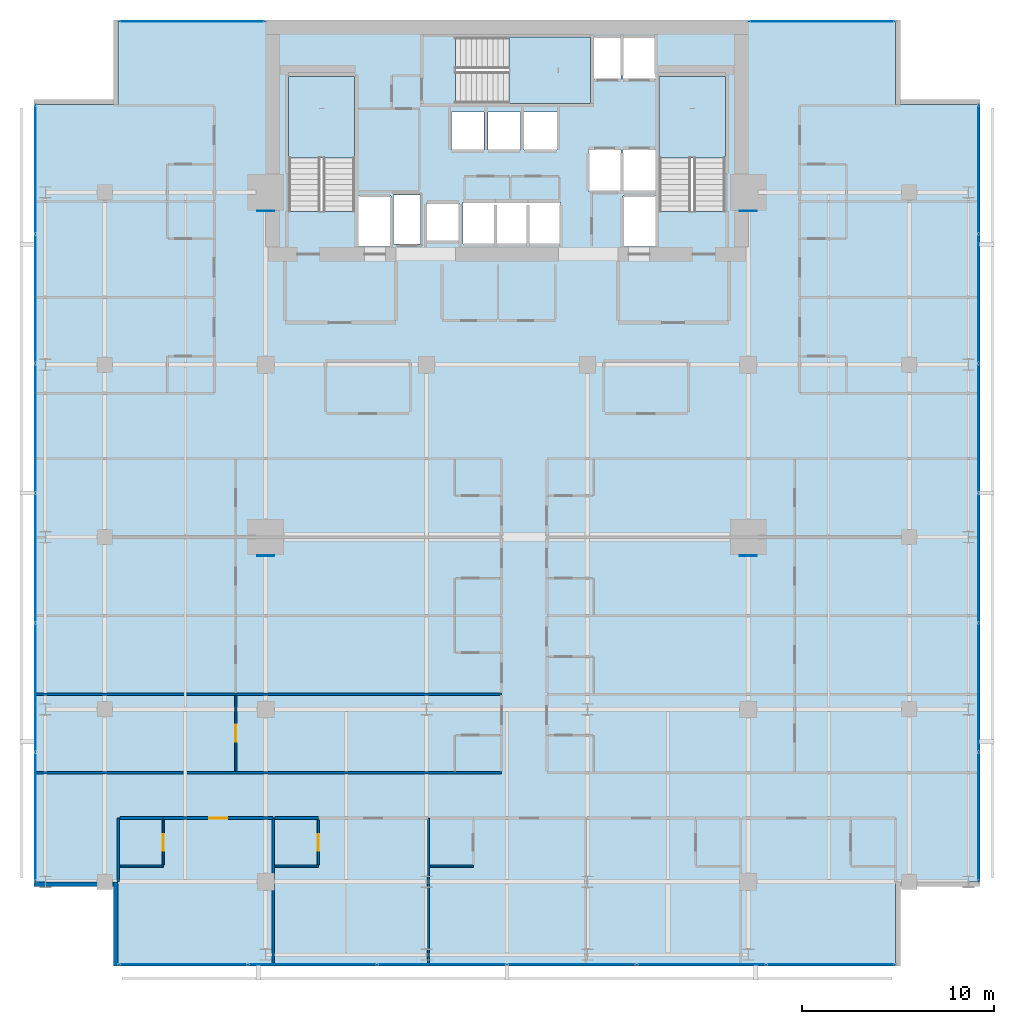
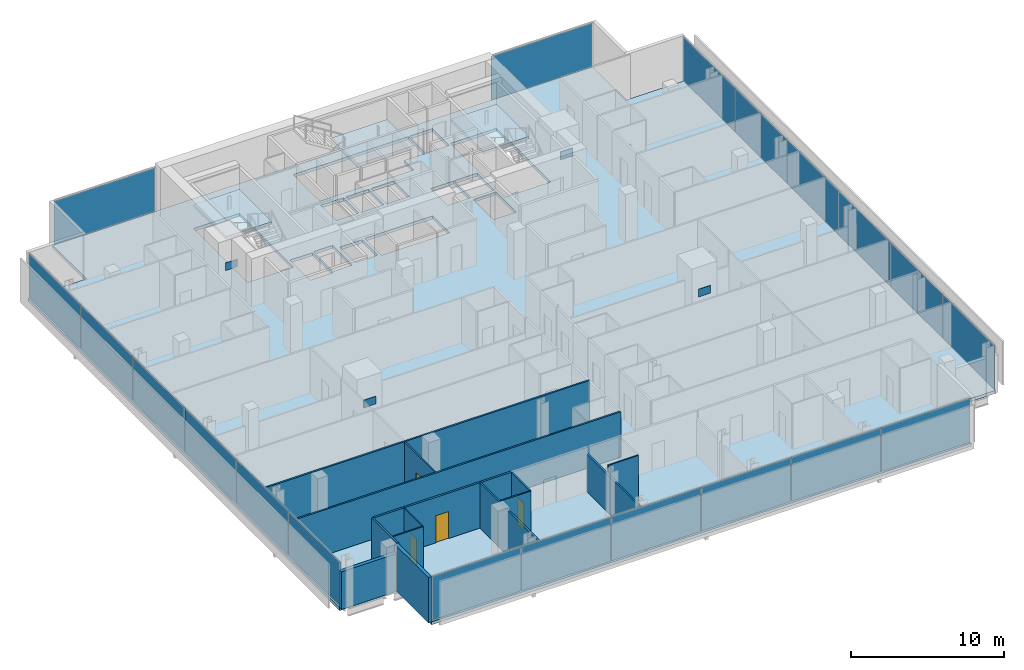
# One storey, part 26 of 34: 24 plates, 16 walls, 4 doors, 4 slabs, 4 openings, 8 elements without a shape of their own.
"""IFC4 building model written with IfcOpenShell, lengths in metres."""

from ifc_helpers import new_model, si_unit, direction, frame, frame_2d, origin, origin_2d, place, context, subcontext, project, spatial, polyline, rectangle, outline, extrude, material, layer, layer_set, type_object, element, fill, aggregate, save


model = new_model("IFC4")

# Units and contexts
model_context = context("Model", 3, precision=1e-05, world=origin(), true_north=direction((0.0, 1.0)))
body_context = subcontext(model_context, "Body", "Model", "MODEL_VIEW")
ifc_project = project(units=[si_unit("LENGTHUNIT", "METRE"), si_unit("AREAUNIT", "SQUARE_METRE"), si_unit("VOLUMEUNIT", "CUBIC_METRE"), si_unit("PLANEANGLEUNIT", "RADIAN"), si_unit("MASSUNIT", "GRAM", prefix="KILO")], contexts=[model_context])

# Site, building, storey
site_placement = place(None, origin())
site = spatial("IfcSite", under=ifc_project, at=site_placement, CompositionType="ELEMENT")
building_placement = place(site_placement, origin())
building = spatial("IfcBuilding", under=site, at=building_placement, Name="Maruvema Waterfront Hotel and Observation Tower", CompositionType="ELEMENT")
storey_placement = place(building_placement, frame((0.0, 0.0, 181.300048828125)))
storey = spatial("IfcBuildingStorey", under=building, at=storey_placement, Name="L44", CompositionType="ELEMENT", Elevation=181.300048828125)

# Slab
ifc_material_1 = material(Name="Concrete C50/60", Category="concrete")
ifc_layer_1 = layer(ifc_material_1, 0.239990234375, Name="Reinforced Concrete Floor Slab 240 mm")
ifc_layer_set_1 = layer_set([ifc_layer_1], Name="Concrete C50/60")
slab_type_1 = type_object("IfcSlabType", Name="Reinforced Concrete Floor Slab 240 mm", PredefinedType="FLOOR", material=ifc_layer_set_1)
slab_1_placement = place(storey_placement, frame((0.0, 0.0, -0.239990234375)))
element("IfcSlab", 1, at=slab_1_placement, inside=storey, type_object=slab_type_1, Name="L44 Structural Floor Slab", PredefinedType="FLOOR", context=body_context, shape_type="SweptSolid", body=[
    extrude(outline(polyline([(17.5, 4.60009765625), (58.10009765625, 4.60009765625), (58.10009765625, 9.0), (62.5, 9.0), (62.5, 49.60009765625), (58.10009765625, 49.60009765625), (58.10009765625, 54.0), (17.5, 54.0), (17.5, 49.60009765625), (13.10009765625, 49.60009765625), (13.10009765625, 9.0), (17.5, 9.0), (17.5, 4.60009765625)]), holes=[polyline([(26.39990234375, 44.00048828125), (26.39990234375, 51.050048828125), (29.85009765625, 51.050048828125), (29.85009765625, 44.00048828125), (26.39990234375, 44.00048828125)]), polyline([(30.050048828125, 44.800048828125), (31.75, 44.800048828125), (31.75, 42.169921875), (30.050048828125, 42.169921875), (30.050048828125, 44.800048828125)]), polyline([(31.8798828125, 44.860107421875), (33.280029296875, 44.860107421875), (33.280029296875, 42.2900390625), (31.8798828125, 42.2900390625), (31.8798828125, 44.860107421875)]), polyline([(33.60009765625, 44.449951171875), (35.300048828125, 44.449951171875), (35.300048828125, 42.449951171875), (33.60009765625, 42.449951171875), (33.60009765625, 44.449951171875)]), polyline([(34.89990234375, 49.199951171875), (36.60009765625, 49.199951171875), (36.60009765625, 47.199951171875), (34.89990234375, 47.199951171875), (34.89990234375, 49.199951171875)]), polyline([(36.800048828125, 49.199951171875), (38.5, 49.199951171875), (38.5, 47.199951171875), (36.800048828125, 47.199951171875), (36.800048828125, 49.199951171875)]), polyline([(35.5, 42.300048828125), (35.5, 44.5), (40.60009765625, 44.5), (40.60009765625, 42.300048828125), (35.5, 42.300048828125)]), polyline([(35.1005859375, 53.10009765625), (43.75, 53.10009765625), (43.75, 50.89990234375), (42.14990234375, 50.89990234375), (42.14990234375, 49.64990234375), (35.1005859375, 49.64990234375), (35.1005859375, 53.10009765625)]), polyline([(38.699951171875, 49.199951171875), (40.39990234375, 49.199951171875), (40.39990234375, 47.199951171875), (38.699951171875, 47.199951171875), (38.699951171875, 49.199951171875)]), polyline([(42.050048828125, 47.25), (43.75, 47.25), (43.75, 45.050048828125), (42.050048828125, 45.050048828125), (42.050048828125, 47.25)]), polyline([(43.85009765625, 44.800048828125), (45.550048828125, 44.800048828125), (45.550048828125, 42.169921875), (43.85009765625, 42.169921875), (43.85009765625, 44.800048828125)]), polyline([(43.85009765625, 47.25), (45.550048828125, 47.25), (45.550048828125, 45.050048828125), (43.85009765625, 45.050048828125), (43.85009765625, 47.25)]), polyline([(45.550048828125, 53.10009765625), (45.550048828125, 50.89990234375), (43.85009765625, 50.89990234375), (43.85009765625, 53.10009765625), (45.550048828125, 53.10009765625)]), polyline([(45.75, 44.00048828125), (45.75, 51.050048828125), (49.199951171875, 51.050048828125), (49.199951171875, 44.00048828125), (45.75, 44.00048828125)])]), origin(), (0.0, 0.0, 1.0), 0.239990234375),
])

# Curtain wall, plates
ifc_material_2 = material(Name="Anodised bronze aluminium and solar-control low-E IGU", Category="aluminium")
ifc_layer_2 = layer(ifc_material_2, 0.159912109375, Name="Zone 2 Amber Inner Thermal Curtain Wall System CW-03")
ifc_layer_set_2 = layer_set([ifc_layer_2], Name="Anodised bronze aluminium and solar-control low-E IGU")
curtain_wall_type = type_object("IfcCurtainWallType", Name="Zone 2 Amber Inner Thermal Curtain Wall System CW-03", PredefinedType="USERDEFINED", material=ifc_layer_set_2)
curtain_wall_1_placement = place(storey_placement, origin())
curtain_wall_1 = element("IfcCurtainWall", 2, at=curtain_wall_1_placement, inside=storey, type_object=curtain_wall_type, Name="L44 Curtain Wall CW-L44-S", ObjectType="UNITISED CURTAIN WALL", PredefinedType="USERDEFINED")
ifc_material_3 = material(Name="Laminated low-E solar-control double glazing", Category="glass")
ifc_layer_3 = layer(ifc_material_3, 0.035888671875, Name="Solar Control Double-Glazed Curtain Panel 36 mm")
ifc_layer_set_3 = layer_set([ifc_layer_3], Name="Laminated low-E solar-control double glazing")
plate_type_1 = type_object("IfcPlateType", Name="Solar Control Double-Glazed Curtain Panel 36 mm", PredefinedType="CURTAIN_PANEL", material=ifc_layer_set_3)
plate_1_placement = place(storey_placement, frame((20.8984375, 4.679931640625, 0.06005859375), z_axis=(0.0, 0.0, 1.0), x_axis=(1.0, 0.0, 0.0)))
plate_1 = element("IfcPlate", 3, at=plate_1_placement, type_object=plate_type_1, Name="CW-03 panel 1.1", PredefinedType="CURTAIN_PANEL", context=body_context, shape_type="SweptSolid", body=[
    extrude(rectangle(XDim=6.6767578125, YDim=0.028076171875, at=origin_2d()), origin(), (0.0, 0.0, 1.0), 3.489990234375),
])
plate_2_placement = place(storey_placement, frame((27.64990234375, 4.679931640625, 0.06005859375), z_axis=(0.0, 0.0, 1.0), x_axis=(1.0, 0.0, 0.0)))
plate_2 = element("IfcPlate", 4, at=plate_2_placement, type_object=plate_type_1, Name="CW-03 panel 2.1", PredefinedType="CURTAIN_PANEL", context=body_context, shape_type="SweptSolid", body=[
    extrude(rectangle(XDim=6.706787109375, YDim=0.028076171875, at=origin_2d()), origin(), (0.0, 0.0, 1.0), 3.489990234375),
])
plate_3_placement = place(storey_placement, frame((34.416748046875, 4.679931640625, 0.06005859375), z_axis=(0.0, 0.0, 1.0), x_axis=(1.0, 0.0, 0.0)))
plate_3 = element("IfcPlate", 5, at=plate_3_placement, type_object=plate_type_1, Name="CW-03 panel 3.1", PredefinedType="CURTAIN_PANEL", context=body_context, shape_type="SweptSolid", body=[
    extrude(rectangle(XDim=6.706787109375, YDim=0.028076171875, at=origin_2d()), origin(), (0.0, 0.0, 1.0), 3.489990234375),
])
plate_4_placement = place(storey_placement, frame((41.183349609375, 4.679931640625, 0.06005859375), z_axis=(0.0, 0.0, 1.0), x_axis=(1.0, 0.0, 0.0)))
plate_4 = element("IfcPlate", 6, at=plate_4_placement, type_object=plate_type_1, Name="CW-03 panel 4.1", PredefinedType="CURTAIN_PANEL", context=body_context, shape_type="SweptSolid", body=[
    extrude(rectangle(XDim=6.706787109375, YDim=0.028076171875, at=origin_2d()), origin(), (0.0, 0.0, 1.0), 3.489990234375),
])
plate_5_placement = place(storey_placement, frame((47.949951171875, 4.679931640625, 0.06005859375), z_axis=(0.0, 0.0, 1.0), x_axis=(1.0, 0.0, 0.0)))
plate_5 = element("IfcPlate", 7, at=plate_5_placement, type_object=plate_type_1, Name="CW-03 panel 5.1", PredefinedType="CURTAIN_PANEL", context=body_context, shape_type="SweptSolid", body=[
    extrude(rectangle(XDim=6.706787109375, YDim=0.028076171875, at=origin_2d()), origin(), (0.0, 0.0, 1.0), 3.489990234375),
])
plate_6_placement = place(storey_placement, frame((54.70166015625, 4.679931640625, 0.06005859375), z_axis=(0.0, 0.0, 1.0), x_axis=(1.0, 0.0, 0.0)))
plate_6 = element("IfcPlate", 8, at=plate_6_placement, type_object=plate_type_1, Name="CW-03 panel 6.1", PredefinedType="CURTAIN_PANEL", context=body_context, shape_type="SweptSolid", body=[
    extrude(rectangle(XDim=6.6767578125, YDim=0.028076171875, at=origin_2d()), origin(), (0.0, 0.0, 1.0), 3.489990234375),
])
aggregate(curtain_wall_1, [plate_1, plate_2, plate_3, plate_4, plate_5, plate_6])

curtain_wall_2_placement = place(storey_placement, origin())
curtain_wall_2 = element("IfcCurtainWall", 9, at=curtain_wall_2_placement, inside=storey, type_object=curtain_wall_type, Name="L44 Curtain Wall CW-L44-E", ObjectType="UNITISED CURTAIN WALL", PredefinedType="USERDEFINED")
plate_7_placement = place(storey_placement, frame((62.419921875, 12.3984375, 0.06005859375), z_axis=(0.0, 0.0, 1.0), x_axis=(0.0, 1.0, 0.0)))
plate_7 = element("IfcPlate", 10, at=plate_7_placement, type_object=plate_type_1, Name="CW-03 panel 1.1", PredefinedType="CURTAIN_PANEL", context=body_context, shape_type="SweptSolid", body=[
    extrude(rectangle(XDim=6.6767578125, YDim=0.028076171875, at=origin_2d()), origin(), (0.0, 0.0, 1.0), 3.489990234375),
])
plate_8_placement = place(storey_placement, frame((62.419921875, 19.14990234375, 0.06005859375), z_axis=(0.0, 0.0, 1.0), x_axis=(0.0, 1.0, 0.0)))
plate_8 = element("IfcPlate", 11, at=plate_8_placement, type_object=plate_type_1, Name="CW-03 panel 2.1", PredefinedType="CURTAIN_PANEL", context=body_context, shape_type="SweptSolid", body=[
    extrude(rectangle(XDim=6.706787109375, YDim=0.028076171875, at=origin_2d()), origin(), (0.0, 0.0, 1.0), 3.489990234375),
])
plate_9_placement = place(storey_placement, frame((62.419921875, 25.916748046875, 0.06005859375), z_axis=(0.0, 0.0, 1.0), x_axis=(0.0, 1.0, 0.0)))
plate_9 = element("IfcPlate", 12, at=plate_9_placement, type_object=plate_type_1, Name="CW-03 panel 3.1", PredefinedType="CURTAIN_PANEL", context=body_context, shape_type="SweptSolid", body=[
    extrude(rectangle(XDim=6.706787109375, YDim=0.028076171875, at=origin_2d()), origin(), (0.0, 0.0, 1.0), 3.489990234375),
])
plate_10_placement = place(storey_placement, frame((62.419921875, 32.683349609375, 0.06005859375), z_axis=(0.0, 0.0, 1.0), x_axis=(0.0, 1.0, 0.0)))
plate_10 = element("IfcPlate", 13, at=plate_10_placement, type_object=plate_type_1, Name="CW-03 panel 4.1", PredefinedType="CURTAIN_PANEL", context=body_context, shape_type="SweptSolid", body=[
    extrude(rectangle(XDim=6.706787109375, YDim=0.028076171875, at=origin_2d()), origin(), (0.0, 0.0, 1.0), 3.489990234375),
])
plate_11_placement = place(storey_placement, frame((62.419921875, 39.449951171875, 0.06005859375), z_axis=(0.0, 0.0, 1.0), x_axis=(0.0, 1.0, 0.0)))
plate_11 = element("IfcPlate", 14, at=plate_11_placement, type_object=plate_type_1, Name="CW-03 panel 5.1", PredefinedType="CURTAIN_PANEL", context=body_context, shape_type="SweptSolid", body=[
    extrude(rectangle(XDim=6.706787109375, YDim=0.028076171875, at=origin_2d()), origin(), (0.0, 0.0, 1.0), 3.489990234375),
])
plate_12_placement = place(storey_placement, frame((62.419921875, 46.20166015625, 0.06005859375), z_axis=(0.0, 0.0, 1.0), x_axis=(0.0, 1.0, 0.0)))
plate_12 = element("IfcPlate", 15, at=plate_12_placement, type_object=plate_type_1, Name="CW-03 panel 6.1", PredefinedType="CURTAIN_PANEL", context=body_context, shape_type="SweptSolid", body=[
    extrude(rectangle(XDim=6.6767578125, YDim=0.028076171875, at=origin_2d()), origin(), (0.0, 0.0, 1.0), 3.489990234375),
])
aggregate(curtain_wall_2, [plate_7, plate_8, plate_9, plate_10, plate_11, plate_12])

curtain_wall_3_placement = place(storey_placement, origin())
curtain_wall_3 = element("IfcCurtainWall", 16, at=curtain_wall_3_placement, inside=storey, type_object=curtain_wall_type, Name="L44 Curtain Wall CW-L44-W", ObjectType="UNITISED CURTAIN WALL", PredefinedType="USERDEFINED")
plate_13_placement = place(storey_placement, frame((13.179931640625, 46.20166015625, 0.06005859375), z_axis=(0.0, 0.0, 1.0), x_axis=(0.0, -1.0, 0.0)))
plate_13 = element("IfcPlate", 17, at=plate_13_placement, type_object=plate_type_1, Name="CW-03 panel 1.1", PredefinedType="CURTAIN_PANEL", context=body_context, shape_type="SweptSolid", body=[
    extrude(rectangle(XDim=6.6767578125, YDim=0.028076171875, at=origin_2d()), origin(), (0.0, 0.0, 1.0), 3.489990234375),
])
plate_14_placement = place(storey_placement, frame((13.179931640625, 39.449951171875, 0.06005859375), z_axis=(0.0, 0.0, 1.0), x_axis=(0.0, -1.0, 0.0)))
plate_14 = element("IfcPlate", 18, at=plate_14_placement, type_object=plate_type_1, Name="CW-03 panel 2.1", PredefinedType="CURTAIN_PANEL", context=body_context, shape_type="SweptSolid", body=[
    extrude(rectangle(XDim=6.706787109375, YDim=0.028076171875, at=origin_2d()), origin(), (0.0, 0.0, 1.0), 3.489990234375),
])
plate_15_placement = place(storey_placement, frame((13.179931640625, 32.683349609375, 0.06005859375), z_axis=(0.0, 0.0, 1.0), x_axis=(0.0, -1.0, 0.0)))
plate_15 = element("IfcPlate", 19, at=plate_15_placement, type_object=plate_type_1, Name="CW-03 panel 3.1", PredefinedType="CURTAIN_PANEL", context=body_context, shape_type="SweptSolid", body=[
    extrude(rectangle(XDim=6.706787109375, YDim=0.028076171875, at=origin_2d()), origin(), (0.0, 0.0, 1.0), 3.489990234375),
])
plate_16_placement = place(storey_placement, frame((13.179931640625, 25.916748046875, 0.06005859375), z_axis=(0.0, 0.0, 1.0), x_axis=(0.0, -1.0, 0.0)))
plate_16 = element("IfcPlate", 20, at=plate_16_placement, type_object=plate_type_1, Name="CW-03 panel 4.1", PredefinedType="CURTAIN_PANEL", context=body_context, shape_type="SweptSolid", body=[
    extrude(rectangle(XDim=6.706787109375, YDim=0.028076171875, at=origin_2d()), origin(), (0.0, 0.0, 1.0), 3.489990234375),
])
plate_17_placement = place(storey_placement, frame((13.179931640625, 19.14990234375, 0.06005859375), z_axis=(0.0, 0.0, 1.0), x_axis=(0.0, -1.0, 0.0)))
plate_17 = element("IfcPlate", 21, at=plate_17_placement, type_object=plate_type_1, Name="CW-03 panel 5.1", PredefinedType="CURTAIN_PANEL", context=body_context, shape_type="SweptSolid", body=[
    extrude(rectangle(XDim=6.706787109375, YDim=0.028076171875, at=origin_2d()), origin(), (0.0, 0.0, 1.0), 3.489990234375),
])
plate_18_placement = place(storey_placement, frame((13.179931640625, 12.3984375, 0.06005859375), z_axis=(0.0, 0.0, 1.0), x_axis=(0.0, -1.0, 0.0)))
plate_18 = element("IfcPlate", 22, at=plate_18_placement, type_object=plate_type_1, Name="CW-03 panel 6.1", PredefinedType="CURTAIN_PANEL", context=body_context, shape_type="SweptSolid", body=[
    extrude(rectangle(XDim=6.6767578125, YDim=0.028076171875, at=origin_2d()), origin(), (0.0, 0.0, 1.0), 3.489990234375),
])
aggregate(curtain_wall_3, [plate_13, plate_14, plate_15, plate_16, plate_17, plate_18])

# Curtain wall, plate
curtain_wall_4_placement = place(storey_placement, origin())
curtain_wall_4 = element("IfcCurtainWall", 23, at=curtain_wall_4_placement, inside=storey, type_object=curtain_wall_type, Name="L44 Curtain Wall CW-L44-NW", ObjectType="UNITISED CURTAIN WALL", PredefinedType="USERDEFINED")
plate_19_placement = place(storey_placement, frame((21.35009765625, 53.919921875, 0.06005859375), z_axis=(0.0, 0.0, 1.0), x_axis=(-1.0, 0.0, 0.0)))
plate_19 = element("IfcPlate", 24, at=plate_19_placement, type_object=plate_type_1, Name="CW-03 panel 1.1", PredefinedType="CURTAIN_PANEL", context=body_context, shape_type="SweptSolid", body=[
    extrude(rectangle(XDim=7.580078125, YDim=0.028076171875, at=origin_2d()), origin(), (0.0, 0.0, 1.0), 3.489990234375),
])
aggregate(curtain_wall_4, [plate_19])

curtain_wall_5_placement = place(storey_placement, origin())
curtain_wall_5 = element("IfcCurtainWall", 25, at=curtain_wall_5_placement, inside=storey, type_object=curtain_wall_type, Name="L44 Curtain Wall CW-L44-NE", ObjectType="UNITISED CURTAIN WALL", PredefinedType="USERDEFINED")
plate_20_placement = place(storey_placement, frame((54.25, 53.919921875, 0.06005859375), z_axis=(0.0, 0.0, 1.0), x_axis=(-1.0, 0.0, 0.0)))
plate_20 = element("IfcPlate", 26, at=plate_20_placement, type_object=plate_type_1, Name="CW-03 panel 1.1", PredefinedType="CURTAIN_PANEL", context=body_context, shape_type="SweptSolid", body=[
    extrude(rectangle(XDim=7.580078125, YDim=0.028076171875, at=origin_2d()), origin(), (0.0, 0.0, 1.0), 3.489990234375),
])
aggregate(curtain_wall_5, [plate_20])

# Stair, slab
ifc_material_4 = material(Name="Concrete C50/60", Category="concrete")
stair_type = type_object("IfcStairType", Name="Dogleg Exit Stair 1650 mm (22R x 175.0 mm)", PredefinedType="HALF_TURN_STAIR", material=ifc_material_4)
stair_1_placement = place(storey_placement, origin())
stair_1 = element("IfcStair", 27, at=stair_1_placement, inside=storey, type_object=stair_type, Name="L44 ST-01", PredefinedType="HALF_TURN_STAIR")
ifc_material_5 = material(Name="Concrete C50/60", Category="concrete")
ifc_layer_4 = layer(ifc_material_5, 0.219970703125, Name="Stair Concrete Landing Slab 220 mm")
ifc_layer_set_4 = layer_set([ifc_layer_4], Name="Concrete C50/60")
slab_type_2 = type_object("IfcSlabType", Name="Stair Concrete Landing Slab 220 mm", PredefinedType="LANDING", material=ifc_layer_set_4)
slab_2_placement = place(storey_placement, frame((0.0, 0.0, 1.704833984375)))
slab_2 = element("IfcSlab", 28, at=slab_2_placement, type_object=slab_type_2, Name="ST-01 landing 1", PredefinedType="LANDING", context=body_context, shape_type="SweptSolid", body=[
    extrude(outline(polyline([(29.85009765625, 46.800048828125), (29.85009765625, 51.050048828125), (26.39990234375, 51.050048828125), (26.39990234375, 46.800048828125), (29.85009765625, 46.800048828125)])), origin(), (0.0, 0.0, 1.0), 0.22021484375),
])
aggregate(stair_1, [slab_2])

stair_2_placement = place(storey_placement, origin())
stair_2 = element("IfcStair", 29, at=stair_2_placement, inside=storey, type_object=stair_type, Name="L44 ST-02", PredefinedType="HALF_TURN_STAIR")
slab_3_placement = place(storey_placement, frame((0.0, 0.0, 1.704833984375)))
slab_3 = element("IfcSlab", 30, at=slab_3_placement, type_object=slab_type_2, Name="ST-02 landing 1", PredefinedType="LANDING", context=body_context, shape_type="SweptSolid", body=[
    extrude(outline(polyline([(37.89990234375, 49.64990234375), (42.14990234375, 49.64990234375), (42.14990234375, 53.10009765625), (37.89990234375, 53.10009765625), (37.89990234375, 49.64990234375)])), origin(), (0.0, 0.0, 1.0), 0.22021484375),
])
aggregate(stair_2, [slab_3])

stair_3_placement = place(storey_placement, origin())
stair_3 = element("IfcStair", 31, at=stair_3_placement, inside=storey, type_object=stair_type, Name="L44 ST-03", PredefinedType="HALF_TURN_STAIR")
slab_4_placement = place(storey_placement, frame((0.0, 0.0, 1.704833984375)))
slab_4 = element("IfcSlab", 32, at=slab_4_placement, type_object=slab_type_2, Name="ST-03 landing 1", PredefinedType="LANDING", context=body_context, shape_type="SweptSolid", body=[
    extrude(outline(polyline([(49.199951171875, 46.800048828125), (49.199951171875, 51.050048828125), (45.75, 51.050048828125), (45.75, 46.800048828125), (49.199951171875, 46.800048828125)])), origin(), (0.0, 0.0, 1.0), 0.22021484375),
])
aggregate(stair_3, [slab_4])

# Plates
ifc_material_6 = material(Name="Steel ABNT NBR 7007 AR 415 (ASTM A572 Grade 50)", Category="steel")
ifc_layer_5 = layer(ifc_material_6, 0.0400390625, Name="Structural Truss Node Gusset Plate 40 mm")
ifc_layer_set_5 = layer_set([ifc_layer_5], Name="Steel ABNT NBR 7007 AR 415 (ASTM A572 Grade 50)")
plate_type_2 = type_object("IfcPlateType", Name="Structural Truss Node Gusset Plate 40 mm", PredefinedType="USERDEFINED", material=ifc_layer_set_5)
for number, where, z_axis, x_axis, name in (
    (33, (25.199951171875, 26.030029296875, 1.5), (0.0, 0.0, 1.0), (1.0, 0.0, 0.0), "L44 MC-01 Moment Frame Continuity Gusset Plate"),
    (34, (50.39990234375, 26.030029296875, 1.5), (0.0, 0.0, 1.0), (1.0, 0.0, 0.0), "L44 MC-02 Moment Frame Continuity Gusset Plate"),
    (35, (25.199951171875, 44.030029296875, 1.5), (0.0, 0.0, 1.0), (1.0, 0.0, 0.0), "L44 MC-03 Moment Frame Continuity Gusset Plate"),
    (36, (50.39990234375, 44.030029296875, 1.5), (0.0, 0.0, 1.0), (1.0, 0.0, 0.0), "L44 MC-04 Moment Frame Continuity Gusset Plate"),
):
    element("IfcPlate", number, at=place(storey_placement, frame(where, z_axis=z_axis, x_axis=x_axis)), inside=storey, type_object=plate_type_2, Name=name, ObjectType="GUSSET_PLATE", PredefinedType="USERDEFINED", context=body_context, shape_type="SweptSolid", body=[
        extrude(rectangle(XDim=0.89990234375, YDim=0.0400390625, at=origin_2d()), origin(), (0.0, 0.0, 1.0), 0.60009765625),
    ])

# Wall
ifc_material_7 = material(Name="Twin-stud acoustic gypsum drywall", Category="gypsum")
ifc_layer_6 = layer(ifc_material_7, 0.14990234375, Name="Acoustic Corridor and Suite Demising Wall 150 mm")
ifc_layer_set_6 = layer_set([ifc_layer_6], Name="Twin-stud acoustic gypsum drywall")
wall_type_1 = type_object("IfcWallType", Name="Acoustic Corridor and Suite Demising Wall 150 mm", PredefinedType="PARTITIONING", material=ifc_layer_set_6)
wall_1_placement = place(storey_placement, frame((17.580078125, 12.320068359375, 0.0), z_axis=(0.0, 0.0, 1.0), x_axis=(1.0, 0.0, 0.0)))
element("IfcWall", 37, at=wall_1_placement, inside=storey, type_object=wall_type_1, Name="L44 Bath L44-S1 Back Wall 037", PredefinedType="PARTITIONING", context=body_context, shape_type="SweptSolid", body=[
    extrude(rectangle(XDim=2.27001953125, YDim=0.14990234375, at=frame_2d((1.135009765625, 0.0))), origin(), (0.0, 0.0, 1.0), 3.60986328125),
])

# Wall, opening, door
wall_2_placement = place(storey_placement, frame((19.85009765625, 12.320068359375, 0.0), z_axis=(0.0, 0.0, 1.0), x_axis=(1.0, 0.0, 0.0)))
wall_2 = element("IfcWall", 38, at=wall_2_placement, inside=storey, type_object=wall_type_1, Name="L44 Unit L44-S1 Corridor Wall 040", PredefinedType="PARTITIONING", context=body_context, shape_type="SweptSolid", body=[
    extrude(rectangle(XDim=5.72998046875, YDim=0.14990234375, at=frame_2d((2.864990234375, 0.0))), origin(), (0.0, 0.0, 1.0), 3.60986328125),
])
opening_1_placement = place(wall_2_placement, frame((2.389892578125, 0.0, 0.0)))
opening_1 = element("IfcOpeningElement", 39, at=opening_1_placement, cuts=wall_2, Name="Opening DR-095", PredefinedType="OPENING", context=body_context, shape_type="SweptSolid", body=[
    extrude(rectangle(XDim=0.949951171875, YDim=2.14990234375, at=frame_2d((0.47509765625, 1.074951171875))), frame((0.0, 0.0849609375, 0.0), z_axis=(0.0, -1.0, 0.0), x_axis=(1.0, 0.0, 0.0)), (0.0, 0.0, 1.0), 0.169921875),
])
ifc_material_8 = material(Name="Acoustic solid-core hardwood timber leaf", Category="wood")
door_type_1 = type_object("IfcDoorType", Name="Guestroom Entrance Fire Door 950x2150 mm", OperationType="NOTDEFINED", PredefinedType="DOOR", material=ifc_material_8)
door_1_placement = place(opening_1_placement, frame((0.949951171875, 0.0, 0.0), z_axis=(0.0, 0.0, 1.0), x_axis=(-1.0, 0.0, 0.0)))
door_1 = element("IfcDoor", 40, at=door_1_placement, inside=storey, type_object=door_type_1, Name="L44 Unit L44-S1 Entrance Door", OperationType="SINGLE_SWING_LEFT", OverallHeight=2.14990234375, OverallWidth=0.949951171875, PredefinedType="DOOR", context=body_context, shape_type="SweptSolid", body=[
    extrude(rectangle(XDim=0.949951171875, YDim=2.14990234375, at=frame_2d((0.47509765625, 1.074951171875))), frame((0.0, 0.02490234375, 0.0), z_axis=(0.0, -1.0, 0.0), x_axis=(1.0, 0.0, 0.0)), (0.0, 0.0, 1.0), 0.050048828125),
])
fill(opening_1, door_1)

# Walls
wall_3_placement = place(storey_placement, frame((25.679931640625, 12.320068359375, 0.0), z_axis=(0.0, 0.0, 1.0), x_axis=(1.0, 0.0, 0.0)))
element("IfcWall", 41, at=wall_3_placement, inside=storey, type_object=wall_type_1, Name="L44 Bath L44-S2 Back Wall 042", PredefinedType="PARTITIONING", context=body_context, shape_type="SweptSolid", body=[
    extrude(rectangle(XDim=2.27001953125, YDim=0.14990234375, at=frame_2d((1.135009765625, 0.0))), origin(), (0.0, 0.0, 1.0), 3.60986328125),
])
ifc_material_9 = material(Name="Moisture-resistant cement-board drywall", Category="gypsum")
ifc_layer_7 = layer(ifc_material_9, 0.10009765625, Name="En-Suite Moisture-Resistant Partition 100 mm")
ifc_layer_set_7 = layer_set([ifc_layer_7], Name="Moisture-resistant cement-board drywall")
wall_type_2 = type_object("IfcWallType", Name="En-Suite Moisture-Resistant Partition 100 mm", PredefinedType="PARTITIONING", material=ifc_layer_set_7)
wall_4_placement = place(storey_placement, frame((17.580078125, 9.820068359375, 0.0), z_axis=(0.0, 0.0, 1.0), x_axis=(1.0, 0.0, 0.0)))
element("IfcWall", 42, at=wall_4_placement, inside=storey, type_object=wall_type_2, Name="L44 En-Suite L44-S1 South 038", PredefinedType="PARTITIONING", context=body_context, shape_type="SweptSolid", body=[
    extrude(rectangle(XDim=2.27001953125, YDim=0.10009765625, at=frame_2d((1.135009765625, 0.0))), origin(), (0.0, 0.0, 1.0), 3.60986328125),
])

# Wall, opening, door
wall_5_placement = place(storey_placement, frame((19.85009765625, 9.8798828125, 0.0), z_axis=(0.0, 0.0, 1.0), x_axis=(0.0, 1.0, 0.0)))
wall_5 = element("IfcWall", 43, at=wall_5_placement, inside=storey, type_object=wall_type_2, Name="L44 En-Suite L44-S1 East 039", PredefinedType="PARTITIONING", context=body_context, shape_type="SweptSolid", body=[
    extrude(rectangle(XDim=2.340087890625, YDim=0.10009765625, at=frame_2d((1.169921875, 0.0))), origin(), (0.0, 0.0, 1.0), 3.60986328125),
])
opening_2_placement = place(wall_5_placement, frame((0.7451171875, 0.0, 0.0)))
opening_2 = element("IfcOpeningElement", 44, at=opening_2_placement, cuts=wall_5, Name="Opening DR-085", PredefinedType="OPENING", context=body_context, shape_type="SweptSolid", body=[
    extrude(rectangle(XDim=0.85009765625, YDim=2.10009765625, at=frame_2d((0.425048828125, 1.050048828125))), frame((0.0, 0.06005859375, 0.0), z_axis=(0.0, -1.0, 0.0), x_axis=(1.0, 0.0, 0.0)), (0.0, 0.0, 1.0), 0.1201171875),
])
ifc_material_10 = material(Name="Moisture-resistant solid timber leaf", Category="wood")
door_type_2 = type_object("IfcDoorType", Name="En-Suite Bathroom Door 850x2100 mm", OperationType="NOTDEFINED", PredefinedType="DOOR", material=ifc_material_10)
door_2_placement = place(opening_2_placement, frame((0.85009765625, 0.0, 0.0), z_axis=(0.0, 0.0, 1.0), x_axis=(-1.0, 0.0, 0.0)))
door_2 = element("IfcDoor", 45, at=door_2_placement, inside=storey, type_object=door_type_2, Name="L44 En-Suite L44-S1 Door", OperationType="SINGLE_SWING_RIGHT", OverallHeight=2.10009765625, OverallWidth=0.85009765625, PredefinedType="DOOR", context=body_context, shape_type="SweptSolid", body=[
    extrude(rectangle(XDim=0.85009765625, YDim=2.10009765625, at=frame_2d((0.425048828125, 1.050048828125))), frame((0.0, 0.02490234375, 0.0), z_axis=(0.0, -1.0, 0.0), x_axis=(1.0, 0.0, 0.0)), (0.0, 0.0, 1.0), 0.050048828125),
])
fill(opening_2, door_2)

# Wall
wall_6_placement = place(storey_placement, frame((25.679931640625, 9.820068359375, 0.0), z_axis=(0.0, 0.0, 1.0), x_axis=(1.0, 0.0, 0.0)))
element("IfcWall", 46, at=wall_6_placement, inside=storey, type_object=wall_type_2, Name="L44 En-Suite L44-S2 South 043", PredefinedType="PARTITIONING", context=body_context, shape_type="SweptSolid", body=[
    extrude(rectangle(XDim=2.27001953125, YDim=0.10009765625, at=frame_2d((1.135009765625, 0.0))), origin(), (0.0, 0.0, 1.0), 3.60986328125),
])

# Wall, opening, door
wall_7_placement = place(storey_placement, frame((27.949951171875, 9.8798828125, 0.0), z_axis=(0.0, 0.0, 1.0), x_axis=(0.0, 1.0, 0.0)))
wall_7 = element("IfcWall", 47, at=wall_7_placement, inside=storey, type_object=wall_type_2, Name="L44 En-Suite L44-S2 East 044", PredefinedType="PARTITIONING", context=body_context, shape_type="SweptSolid", body=[
    extrude(rectangle(XDim=2.340087890625, YDim=0.10009765625, at=frame_2d((1.169921875, 0.0))), origin(), (0.0, 0.0, 1.0), 3.60986328125),
])
opening_3_placement = place(wall_7_placement, frame((0.7451171875, 0.0, 0.0)))
opening_3 = element("IfcOpeningElement", 48, at=opening_3_placement, cuts=wall_7, Name="Opening DR-085", PredefinedType="OPENING", context=body_context, shape_type="SweptSolid", body=[
    extrude(rectangle(XDim=0.85009765625, YDim=2.10009765625, at=frame_2d((0.425048828125, 1.050048828125))), frame((0.0, 0.06005859375, 0.0), z_axis=(0.0, -1.0, 0.0), x_axis=(1.0, 0.0, 0.0)), (0.0, 0.0, 1.0), 0.1201171875),
])
door_3_placement = place(opening_3_placement, frame((0.85009765625, 0.0, 0.0), z_axis=(0.0, 0.0, 1.0), x_axis=(-1.0, 0.0, 0.0)))
door_3 = element("IfcDoor", 49, at=door_3_placement, inside=storey, type_object=door_type_2, Name="L44 En-Suite L44-S2 Door", OperationType="SINGLE_SWING_RIGHT", OverallHeight=2.10009765625, OverallWidth=0.85009765625, PredefinedType="DOOR", context=body_context, shape_type="SweptSolid", body=[
    extrude(rectangle(XDim=0.85009765625, YDim=2.10009765625, at=frame_2d((0.425048828125, 1.050048828125))), frame((0.0, 0.02490234375, 0.0), z_axis=(0.0, -1.0, 0.0), x_axis=(1.0, 0.0, 0.0)), (0.0, 0.0, 1.0), 0.050048828125),
])
fill(opening_3, door_3)

# Wall
wall_8_placement = place(storey_placement, frame((33.780029296875, 9.820068359375, 0.0), z_axis=(0.0, 0.0, 1.0), x_axis=(1.0, 0.0, 0.0)))
element("IfcWall", 50, at=wall_8_placement, inside=storey, type_object=wall_type_2, Name="L44 En-Suite L44-S3 South 048", PredefinedType="PARTITIONING", context=body_context, shape_type="SweptSolid", body=[
    extrude(rectangle(XDim=2.27001953125, YDim=0.10009765625, at=frame_2d((1.135009765625, 0.0))), origin(), (0.0, 0.0, 1.0), 3.60986328125),
])

# Wall, opening, door
wall_9_placement = place(storey_placement, frame((23.6455078125, 14.760009765625, 0.0), z_axis=(0.0, 0.0, 1.0), x_axis=(0.0, 1.0, 0.0)))
wall_9 = element("IfcWall", 51, at=wall_9_placement, inside=storey, type_object=wall_type_2, Name="L44 Suite L44-W1 Split 069", PredefinedType="PARTITIONING", context=body_context, shape_type="SweptSolid", body=[
    extrude(rectangle(XDim=3.97998046875, YDim=0.10009765625, at=frame_2d((1.989990234375, 0.0))), origin(), (0.0, 0.0, 1.0), 3.60986328125),
])
opening_4_placement = place(wall_9_placement, frame((1.5400390625, 0.0, 0.0)))
opening_4 = element("IfcOpeningElement", 52, at=opening_4_placement, cuts=wall_9, Name="Opening DR-090", PredefinedType="OPENING", context=body_context, shape_type="SweptSolid", body=[
    extrude(rectangle(XDim=0.89990234375, YDim=2.10009765625, at=frame_2d((0.449951171875, 1.050048828125))), frame((0.0, 0.06005859375, 0.0), z_axis=(0.0, -1.0, 0.0), x_axis=(1.0, 0.0, 0.0)), (0.0, 0.0, 1.0), 0.1201171875),
])
ifc_material_11 = material(Name="Solid-core lacquered timber leaf", Category="wood")
door_type_3 = type_object("IfcDoorType", Name="Accessible Toilet and Room Door 900x2100 mm", OperationType="NOTDEFINED", PredefinedType="DOOR", material=ifc_material_11)
door_4_placement = place(opening_4_placement, origin())
door_4 = element("IfcDoor", 53, at=door_4_placement, inside=storey, type_object=door_type_3, Name="L44 Suite L44-W1 Bedroom Door", OperationType="SINGLE_SWING_RIGHT", OverallHeight=2.10009765625, OverallWidth=0.89990234375, PredefinedType="DOOR", context=body_context, shape_type="SweptSolid", body=[
    extrude(rectangle(XDim=0.89990234375, YDim=2.10009765625, at=frame_2d((0.449951171875, 1.050048828125))), frame((0.0, 0.02490234375, 0.0), z_axis=(0.0, -1.0, 0.0), x_axis=(1.0, 0.0, 0.0)), (0.0, 0.0, 1.0), 0.050048828125),
])
fill(opening_4, door_4)

# Walls
ifc_material_12 = material(Name="Precast concrete C45/55 with honed Pernambuco granite facing", Category="masonry")
ifc_layer_8 = layer(ifc_material_12, 0.260009765625, Name="Exterior Granite Clad Spandrel and Pier Wall 260 mm")
ifc_layer_set_8 = layer_set([ifc_layer_8], Name="Precast concrete C45/55 with honed Pernambuco granite facing")
wall_type_3 = type_object("IfcWallType", Name="Exterior Granite Clad Spandrel and Pier Wall 260 mm", PredefinedType="SOLIDWALL", material=ifc_layer_set_8)
wall_10_placement = place(storey_placement, frame((17.3701171875, 4.60009765625, 0.0), z_axis=(0.0, 0.0, 1.0), x_axis=(0.0, 1.0, 0.0)))
element("IfcWall", 54, at=wall_10_placement, inside=storey, type_object=wall_type_3, Name="L44 Corner Notch Granite Pier Wall SW1", PredefinedType="SOLIDWALL", context=body_context, shape_type="SweptSolid", body=[
    extrude(rectangle(XDim=4.39990234375, YDim=0.260009765625, at=frame_2d((2.199951171875, 0.0))), origin(), (0.0, 0.0, 1.0), 3.60986328125),
])
wall_11_placement = place(storey_placement, frame((17.5, 8.8701171875, 0.0), z_axis=(0.0, 0.0, 1.0), x_axis=(-1.0, 0.0, 0.0)))
element("IfcWall", 55, at=wall_11_placement, inside=storey, type_object=wall_type_3, Name="L44 Corner Notch Granite Pier Wall SW2", PredefinedType="SOLIDWALL", context=body_context, shape_type="SweptSolid", body=[
    extrude(rectangle(XDim=4.39990234375, YDim=0.260009765625, at=frame_2d((2.199951171875, 0.0))), origin(), (0.0, 0.0, 1.0), 3.0068359375),
])
ifc_material_13 = material(Name="Acoustic gypsum plasterboard drywall", Category="gypsum")
ifc_layer_9 = layer(ifc_material_13, 0.125, Name="Guestroom Acoustic Demising Wall 125 mm")
ifc_layer_set_9 = layer_set([ifc_layer_9], Name="Acoustic gypsum plasterboard drywall")
wall_type_4 = type_object("IfcWallType", Name="Guestroom Acoustic Demising Wall 125 mm", PredefinedType="PARTITIONING", material=ifc_layer_set_9)
wall_12_placement = place(storey_placement, frame((17.5, 9.0, 0.0), z_axis=(0.0, 0.0, 1.0), x_axis=(0.0, 1.0, 0.0)))
element("IfcWall", 56, at=wall_12_placement, inside=storey, type_object=wall_type_4, Name="L44 Z2 S West End 035", PredefinedType="PARTITIONING", context=body_context, shape_type="SweptSolid", body=[
    extrude(rectangle(XDim=3.320068359375, YDim=0.125, at=frame_2d((1.66015625, 0.0))), origin(), (0.0, 0.0, 1.0), 3.60986328125),
])
wall_13_placement = place(storey_placement, frame((25.60009765625, 4.699951171875, 0.0), z_axis=(0.0, 0.0, 1.0), x_axis=(0.0, 1.0, 0.0)))
element("IfcWall", 57, at=wall_13_placement, inside=storey, type_object=wall_type_4, Name="L44 Z2 S Demising 2 041", PredefinedType="PARTITIONING", context=body_context, shape_type="SweptSolid", body=[
    extrude(rectangle(XDim=7.6201171875, YDim=0.125, at=frame_2d((3.81005859375, 0.0))), origin(), (0.0, 0.0, 1.0), 3.60986328125),
])
wall_14_placement = place(storey_placement, frame((33.699951171875, 4.699951171875, 0.0), z_axis=(0.0, 0.0, 1.0), x_axis=(0.0, 1.0, 0.0)))
element("IfcWall", 58, at=wall_14_placement, inside=storey, type_object=wall_type_4, Name="L44 Z2 S Demising 3 046", PredefinedType="PARTITIONING", context=body_context, shape_type="SweptSolid", body=[
    extrude(rectangle(XDim=7.6201171875, YDim=0.125, at=frame_2d((3.81005859375, 0.0))), origin(), (0.0, 0.0, 1.0), 3.0068359375),
])
for number, where, z_axis, x_axis, name in (
    (59, (13.199951171875, 14.699951171875, 0.0), (0.0, 0.0, 1.0), (1.0, 0.0, 0.0), "L44 Z2 W Bot End 061"),
    (60, (13.199951171875, 18.800048828125, 0.0), (0.0, 0.0, 1.0), (1.0, 0.0, 0.0), "L44 Z2 W Demising 2 075"),
):
    element("IfcWall", number, at=place(storey_placement, frame(where, z_axis=z_axis, x_axis=x_axis)), inside=storey, type_object=wall_type_4, Name=name, PredefinedType="PARTITIONING", context=body_context, shape_type="SweptSolid", body=[
        extrude(rectangle(XDim=24.320068359375, YDim=0.125, at=frame_2d((12.16015625, 0.0))), origin(), (0.0, 0.0, 1.0), 3.60986328125),
    ])

save(model, "model.ifc")
